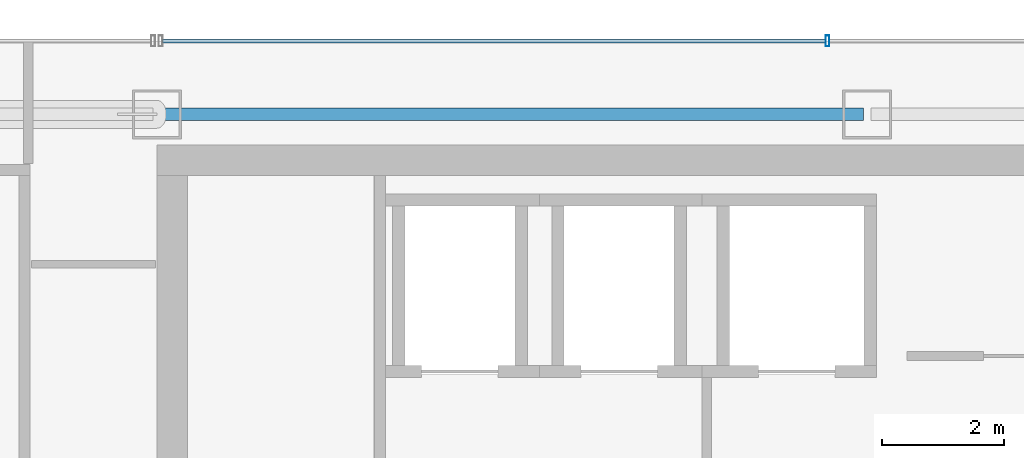
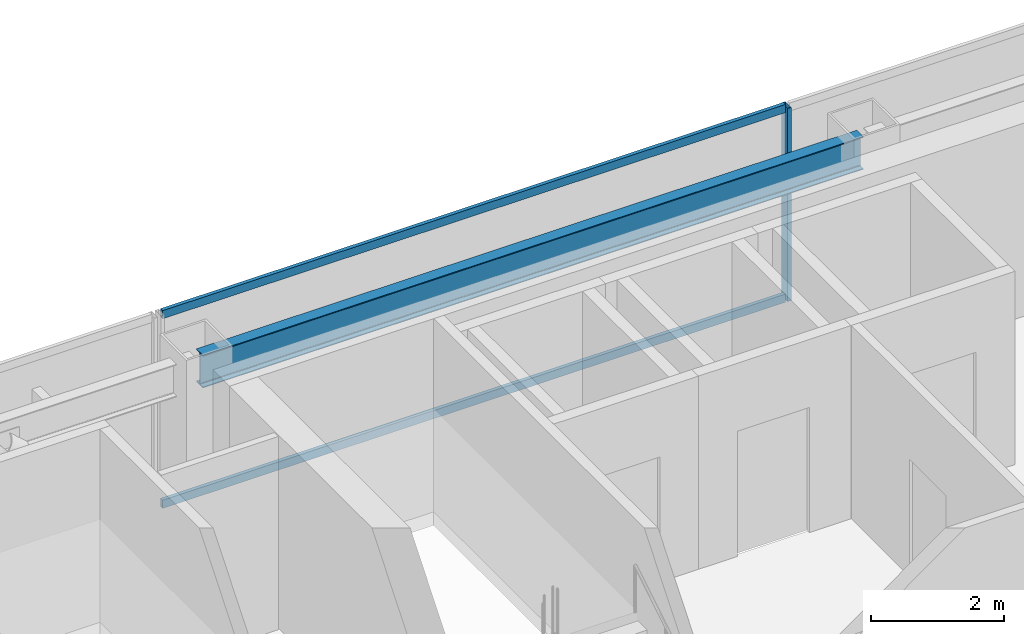
# One storey, part 24 of 36: 3 members, 1 beam, 1 element without a shape of its own.
"""IFC4 building model written with IfcOpenShell, lengths in metres."""

from ifc_helpers import new_model, si_unit, direction, frame, origin, origin_2d, place, context, subcontext, project, spatial, hollow_rectangle, i_section, extrude, material, material_profile, profile_set, type_object, element, aggregate, save


model = new_model("IFC4")

# Units and contexts
model_context = context("Model", 3, precision=1e-05, world=origin(), true_north=direction((0.0, 1.0)))
body_context = subcontext(model_context, "Body", "Model", "MODEL_VIEW")
ifc_project = project(units=[si_unit("LENGTHUNIT", "METRE"), si_unit("AREAUNIT", "SQUARE_METRE"), si_unit("VOLUMEUNIT", "CUBIC_METRE"), si_unit("PLANEANGLEUNIT", "RADIAN"), si_unit("MASSUNIT", "GRAM", prefix="KILO")], contexts=[model_context])

# Site, building, storey
site_placement = place(None, origin())
site = spatial("IfcSite", under=ifc_project, at=site_placement, CompositionType="ELEMENT")
building_placement = place(site_placement, origin())
building = spatial("IfcBuilding", under=site, at=building_placement, Name="Saevonmaru Cultural Tower", CompositionType="ELEMENT")
storey_placement = place(building_placement, frame((0.0, 0.0, 201.800048828125)))
storey = spatial("IfcBuildingStorey", under=building, at=storey_placement, Name="L46", CompositionType="ELEMENT", Elevation=201.800048828125)

# Beam
ifc_material_1 = material(Name="Steel SM355", Category="steel")
ifc_material_profile_1 = material_profile(ifc_material_1, i_section(OverallWidth=0.199951171875, OverallDepth=0.60009765625, WebThickness=0.010986328125, FlangeThickness=0.01708984375, FilletRadius=0.02197265625, at=origin_2d()), Name="H-600x200x11x17")
ifc_profile_set_1 = profile_set([ifc_material_profile_1], Name="Steel SM355")
beam_type = type_object("IfcBeamType", Name="BM-SP-H600", PredefinedType="SPANDREL", material=ifc_profile_set_1)
beam_placement = place(storey_placement, frame((13.659912109375, 54.800048828125, 3.25), z_axis=(1.0, 0.0, 0.0), x_axis=(0.0, 1.0, 0.0)))
element("IfcBeam", 1, at=beam_placement, inside=storey, type_object=beam_type, Name="L46 North Spine Girder 2", PredefinedType="SPANDREL", context=body_context, shape_type="SweptSolid", body=[
    extrude(i_section(OverallWidth=0.199951171875, OverallDepth=0.60009765625, WebThickness=0.010986328125, FlangeThickness=0.01708984375, FilletRadius=0.02197265625, at=origin_2d()), origin(), (0.0, 0.0, 1.0), 11.47998046875),
])

# Curtain wall, members
ifc_material_2 = material(Name="Satin Bronze Anodised Aluminium", Category="aluminium")
curtain_wall_type = type_object("IfcCurtainWallType", Name="CW-TYP-B", PredefinedType="NOTDEFINED", material=ifc_material_2)
curtain_wall_placement = place(storey_placement, origin())
curtain_wall = element("IfcCurtainWall", 2, at=curtain_wall_placement, inside=storey, type_object=curtain_wall_type, Name="L46 North Spine Unitised Curtain Wall E10B", PredefinedType="NOTDEFINED")
ifc_material_profile_2 = material_profile(ifc_material_2, hollow_rectangle(XDim=0.06494140625, YDim=0.179931640625, WallThickness=0.00390625, at=origin_2d()), Name="ALU-MULL-180x65x4")
ifc_profile_set_2 = profile_set([ifc_material_profile_2], Name="Satin Bronze Anodised Aluminium")
member_type_1 = type_object("IfcMemberType", Name="ML-CW-180x65", PredefinedType="MULLION", material=ifc_profile_set_2)
member_1_placement = place(storey_placement, frame((24.55322265625, 56.0, 0.0), z_axis=(0.0, 0.0, 1.0), x_axis=(-1.0, 0.0, 0.0)))
member_1 = element("IfcMember", 3, at=member_1_placement, type_object=member_type_1, Name="CW-TW-L46-E10B mullion 3", PredefinedType="MULLION", context=body_context, shape_type="SweptSolid", body=[
    extrude(hollow_rectangle(XDim=0.06494140625, YDim=0.179931640625, WallThickness=0.00390625, at=origin_2d()), origin(), (0.0, 0.0, 1.0), 3.550048828125),
])
ifc_material_profile_3 = material_profile(ifc_material_2, hollow_rectangle(XDim=0.06494140625, YDim=0.14990234375, WallThickness=0.00390625, at=origin_2d()), Name="ALU-TRAN-150x65x4")
ifc_profile_set_3 = profile_set([ifc_material_profile_3], Name="Satin Bronze Anodised Aluminium")
member_type_2 = type_object("IfcMemberType", Name="TR-CW-150x65", PredefinedType="USERDEFINED", material=ifc_profile_set_3)
member_2_placement = place(storey_placement, frame((24.520751953125, 56.0, 0.032470703125), z_axis=(-1.0, 0.0, 0.0), x_axis=(0.0, -1.0, 0.0)))
member_2 = element("IfcMember", 4, at=member_2_placement, type_object=member_type_2, Name="CW-TW-L46-E10B transom 3.1", ObjectType="TRANSOM", PredefinedType="USERDEFINED", context=body_context, shape_type="SweptSolid", body=[
    extrude(hollow_rectangle(XDim=0.06494140625, YDim=0.14990234375, WallThickness=0.00390625, at=origin_2d()), origin(), (0.0, 0.0, 1.0), 10.828369140625),
])
member_3_placement = place(storey_placement, frame((24.520751953125, 56.0, 3.517333984375), z_axis=(-1.0, 0.0, 0.0), x_axis=(0.0, -1.0, 0.0)))
member_3 = element("IfcMember", 5, at=member_3_placement, type_object=member_type_2, Name="CW-TW-L46-E10B transom 3.2", ObjectType="TRANSOM", PredefinedType="USERDEFINED", context=body_context, shape_type="SweptSolid", body=[
    extrude(hollow_rectangle(XDim=0.06494140625, YDim=0.14990234375, WallThickness=0.00390625, at=origin_2d()), origin(), (0.0, 0.0, 1.0), 10.828369140625),
])
aggregate(curtain_wall, [member_1, member_2, member_3])

save(model, "model.ifc")
